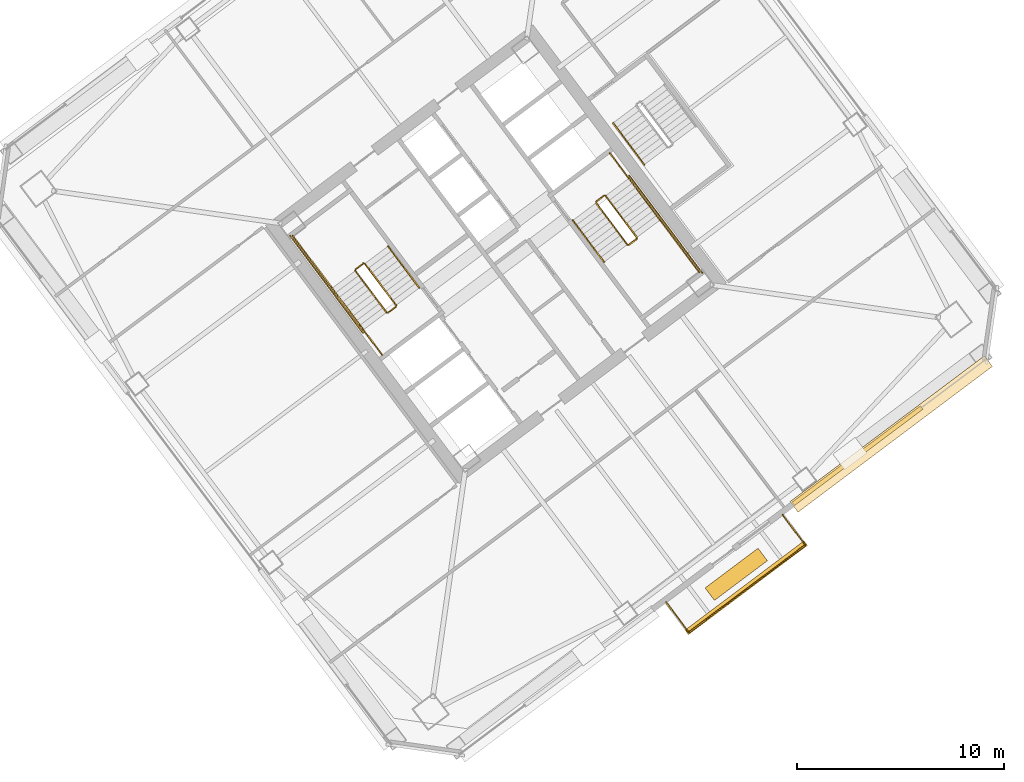
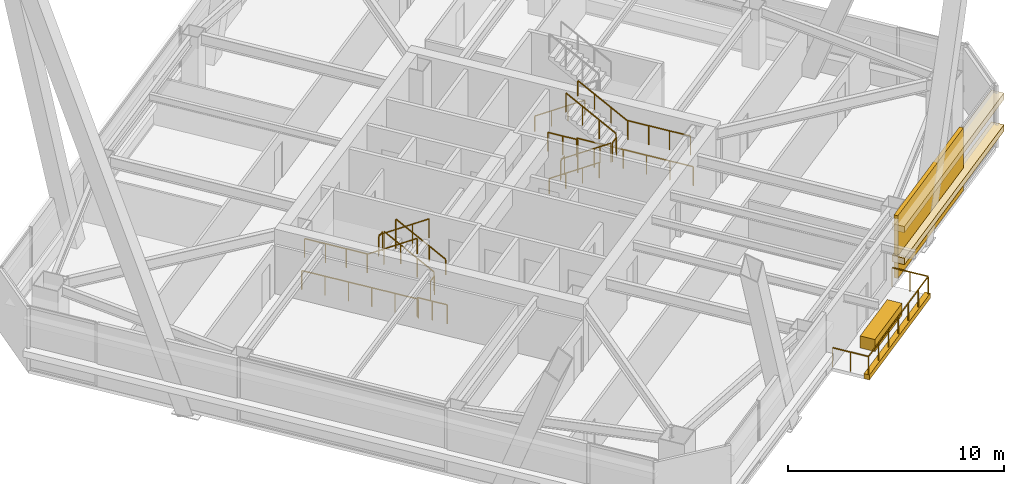
# One storey, part 52 of 54: 22 railings, 5 coverings.
"""IFC4 building model written with IfcOpenShell, lengths in metres."""

from ifc_helpers import new_model, si_unit, direction, frame, origin, origin_2d, place, context, subcontext, project, spatial, rectangle, extrude, material, layer, layer_set, type_object, element, save


model = new_model("IFC4")

# Units and contexts
model_context = context("Model", 3, precision=1e-05, world=origin(), true_north=direction((0.0, 1.0)))
body_context = subcontext(model_context, "Body", "Model", "MODEL_VIEW")
ifc_project = project(units=[si_unit("LENGTHUNIT", "METRE"), si_unit("AREAUNIT", "SQUARE_METRE"), si_unit("VOLUMEUNIT", "CUBIC_METRE"), si_unit("PLANEANGLEUNIT", "RADIAN"), si_unit("MASSUNIT", "GRAM", prefix="KILO")], contexts=[model_context])

# Site, building, storey
site_placement = place(None, origin())
site = spatial("IfcSite", under=ifc_project, at=site_placement, CompositionType="ELEMENT")
building_placement = place(site_placement, origin())
building = spatial("IfcBuilding", under=site, at=building_placement, Name="Tashvorn Skyway Center", CompositionType="ELEMENT")
storey_placement = place(building_placement, frame((0.0, 0.0, 135.699951171875)))
storey = spatial("IfcBuildingStorey", under=building, at=storey_placement, Name="L36", CompositionType="ELEMENT", Elevation=135.699951171875)

# Coverings
ifc_material_1 = material(Name="Precast concrete C40/50", Category="concrete")
ifc_layer_1 = layer(ifc_material_1, 0.199951171875)
ifc_layer_set_1 = layer_set([ifc_layer_1], Name="Precast concrete C40/50")
covering_type_1 = type_object("IfcCoveringType", Name="COV-BRACE-CLAD", PredefinedType="CLADDING", material=ifc_layer_set_1)
covering_1_placement = place(storey_placement, frame((131.46923828125, 22.251953125, 0.0), z_axis=(0.0, 0.0, 1.0), x_axis=(-0.799999996291, -0.600000004945, 0.0)))
element("IfcCovering", 1, at=covering_1_placement, inside=storey, type_object=covering_type_1, Name="Tower 2 L36 South Curtain Wall L Mega-Brace Cladding Band 1", PredefinedType="CLADDING", context=body_context, shape_type="SweptSolid", body=[
    extrude(rectangle(XDim=7.75341796875, YDim=0.199951171875, at=origin_2d()), origin(), (0.0, 0.0, 1.0), 3.550048828125),
])
ifc_material_2 = material(Name="Perforated ceramic-coated bronze aluminium solar screen", Category="aluminium")
ifc_layer_2 = layer(ifc_material_2, 0.85009765625)
ifc_layer_set_2 = layer_set([ifc_layer_2], Name="Perforated ceramic-coated bronze aluminium solar screen")
covering_type_2 = type_object("IfcCoveringType", Name="COV-SOLAR-BAND", PredefinedType="CLADDING", material=ifc_layer_set_2)
for number, where, z_axis, x_axis, name in (
    (2, (133.10400390625, 23.302978515625, 0.919921875), (0.0, 0.0, 1.0), (-0.799999996291, -0.600000004945, 0.0), "L36 Perforated Ceramic-Metal Solar Screen Louvre Band South 1"),
    (3, (133.10400390625, 23.302978515625, 2.72021484375), (0.0, 0.0, 1.0), (-0.799999996291, -0.600000004945, 0.0), "L36 Perforated Ceramic-Metal Solar Screen Louvre Band South 2"),
):
    element("IfcCovering", number, at=place(storey_placement, frame(where, z_axis=z_axis, x_axis=x_axis)), inside=storey, type_object=covering_type_2, Name=name, PredefinedType="CLADDING", context=body_context, shape_type="SweptSolid", body=[
        extrude(rectangle(XDim=11.75, YDim=0.639892578125, at=origin_2d()), origin(), (0.0, 0.0, 1.0), 0.360107421875),
    ])
ifc_layer_3 = layer(ifc_material_1, 0.35009765625)
ifc_layer_set_3 = layer_set([ifc_layer_3], Name="Precast concrete C40/50")
covering_type_3 = type_object("IfcCoveringType", Name="COV-STONE-TRIM", PredefinedType="CLADDING", material=ifc_layer_set_3)
covering_2_placement = place(storey_placement, frame((126.095947265625, 15.8720703125, -0.16015625), z_axis=(0.0, 0.0, 1.0), x_axis=(-0.799999996291, -0.600000004945, 0.0)))
element("IfcCovering", 4, at=covering_2_placement, inside=storey, type_object=covering_type_3, Name="Tower 2 L36 Spiral Terrace Terracotta Fascia", PredefinedType="CLADDING", context=body_context, shape_type="SweptSolid", body=[
    extrude(rectangle(XDim=7.199951171875, YDim=0.280029296875, at=origin_2d()), origin(), (0.0, 0.0, 1.0), 0.280029296875),
])
covering_3_placement = place(storey_placement, frame((125.610107421875, 16.52001953125, 0.0), z_axis=(0.0, 0.0, 1.0), x_axis=(-0.799999996291, -0.600000004945, 0.0)))
element("IfcCovering", 5, at=covering_3_placement, inside=storey, type_object=covering_type_3, Name="Tower 2 L36 Spiral Terrace Planter", PredefinedType="CLADDING", context=body_context, shape_type="SweptSolid", body=[
    extrude(rectangle(XDim=3.199951171875, YDim=0.75, at=origin_2d()), origin(), (0.0, 0.0, 1.0), 0.679931640625),
])

# Railings
ifc_material_3 = material(Name="Galvanized steel S355", Category="steel")
railing_type_1 = type_object("IfcRailingType", Name="RAIL-GUARD-1120", PredefinedType="GUARDRAIL", material=ifc_material_3)
railing_1_placement = place(storey_placement, frame((122.22412109375, 15.16796875, 0.0)))
element("IfcRailing", 6, at=railing_1_placement, inside=storey, type_object=railing_type_1, Name="L36 Tower 2 Terrace Guardrail 01", PredefinedType="GUARDRAIL", context=body_context, shape_type="SweptSolid", body=[
    extrude(rectangle(XDim=0.048095703125, YDim=0.048095703125, at=origin_2d()), frame((0.0, 0.0, 1.09619140625), z_axis=(0.599914141212, -0.800064386893, 0.0), x_axis=(0.800064386893, 0.599914141212, 0.0)), (0.0, 0.0, 1.0), 1.81982421875),
    extrude(rectangle(XDim=0.0419921875, YDim=0.0419921875, at=origin_2d()), origin(), (0.0, 0.0, 1.0), 1.072021484375),
    extrude(rectangle(XDim=0.0419921875, YDim=0.0419921875, at=origin_2d()), frame((0.5458984375, -0.72802734375, 0.0)), (0.0, 0.0, 1.0), 1.072021484375),
    extrude(rectangle(XDim=0.0419921875, YDim=0.0419921875, at=origin_2d()), frame((1.091796875, -1.4560546875, 0.0)), (0.0, 0.0, 1.0), 1.072021484375),
])
railing_2_placement = place(storey_placement, frame((123.31591796875, 13.7119140625, 0.0)))
element("IfcRailing", 7, at=railing_2_placement, inside=storey, type_object=railing_type_1, Name="L36 Tower 2 Terrace Guardrail 02", PredefinedType="GUARDRAIL", context=body_context, shape_type="SweptSolid", body=[
    extrude(rectangle(XDim=0.048095703125, YDim=0.048095703125, at=origin_2d()), frame((0.0, 0.0, 1.09619140625), z_axis=(0.799995838574, 0.600005548528, 0.0), x_axis=(-0.600005548528, 0.799995838574, 0.0)), (0.0, 0.0, 1.0), 7.0400390625),
    extrude(rectangle(XDim=0.0419921875, YDim=0.0419921875, at=origin_2d()), origin(), (0.0, 0.0, 1.0), 1.072021484375),
    extrude(rectangle(XDim=0.0419921875, YDim=0.0419921875, at=origin_2d()), frame((0.938720703125, 0.7041015625, 0.0)), (0.0, 0.0, 1.0), 1.072021484375),
    extrude(rectangle(XDim=0.0419921875, YDim=0.0419921875, at=origin_2d()), frame((1.87744140625, 1.407958984375, 0.0)), (0.0, 0.0, 1.0), 1.072021484375),
    extrude(rectangle(XDim=0.0419921875, YDim=0.0419921875, at=origin_2d()), frame((2.81591796875, 2.112060546875, 0.0)), (0.0, 0.0, 1.0), 1.072021484375),
    extrude(rectangle(XDim=0.0419921875, YDim=0.0419921875, at=origin_2d()), frame((3.754638671875, 2.816162109375, 0.0)), (0.0, 0.0, 1.0), 1.072021484375),
    extrude(rectangle(XDim=0.0419921875, YDim=0.0419921875, at=origin_2d()), frame((4.693359375, 3.52001953125, 0.0)), (0.0, 0.0, 1.0), 1.072021484375),
    extrude(rectangle(XDim=0.0419921875, YDim=0.0419921875, at=origin_2d()), frame((5.632080078125, 4.22412109375, 0.0)), (0.0, 0.0, 1.0), 1.072021484375),
])
railing_3_placement = place(storey_placement, frame((128.947998046875, 17.93603515625, 0.0)))
element("IfcRailing", 8, at=railing_3_placement, inside=storey, type_object=railing_type_1, Name="L36 Tower 2 Terrace Guardrail 03", PredefinedType="GUARDRAIL", context=body_context, shape_type="SweptSolid", body=[
    extrude(rectangle(XDim=0.048095703125, YDim=0.048095703125, at=origin_2d()), frame((0.0, 0.0, 1.09619140625), z_axis=(-0.6, 0.8, 0.0), x_axis=(-0.8, -0.6, 0.0)), (0.0, 0.0, 1.0), 1.820068359375),
    extrude(rectangle(XDim=0.0419921875, YDim=0.0419921875, at=origin_2d()), origin(), (0.0, 0.0, 1.0), 1.072021484375),
    extrude(rectangle(XDim=0.0419921875, YDim=0.0419921875, at=origin_2d()), frame((-0.5458984375, 0.72802734375, 0.0)), (0.0, 0.0, 1.0), 1.072021484375),
    extrude(rectangle(XDim=0.0419921875, YDim=0.0419921875, at=origin_2d()), frame((-1.092041015625, 1.4560546875, 0.0)), (0.0, 0.0, 1.0), 1.072021484375),
])
ifc_material_4 = material(Name="Brushed stainless steel 316", Category="steel")
railing_type_2 = type_object("IfcRailingType", Name="RAIL-HAND-920", PredefinedType="HANDRAIL", material=ifc_material_4)
railing_4_placement = place(storey_placement, frame((110.2880859375, 30.365966796875, 0.177490234375)))
element("IfcRailing", 9, at=railing_4_placement, inside=storey, type_object=railing_type_2, Name="L36 ST-T2-1 stair handrail 1", PredefinedType="HANDRAIL", context=body_context, shape_type="SweptSolid", body=[
    extrude(rectangle(XDim=0.048095703125, YDim=0.048095703125, at=origin_2d()), frame((0.0, 0.0, 0.8759765625), z_axis=(-0.506779409603, 0.675651334276, 0.53541563714), x_axis=(-0.799976749893, -0.600030998891, 0.0)), (0.0, 0.0, 1.0), 2.98388671875),
    extrude(rectangle(XDim=0.0419921875, YDim=0.0419921875, at=origin_2d()), origin(), (0.0, 0.0, 1.0), 0.851806640625),
    extrude(rectangle(XDim=0.0419921875, YDim=0.0419921875, at=origin_2d()), frame((-0.504150390625, 0.672119140625, 0.532470703125)), (0.0, 0.0, 1.0), 0.851806640625),
    extrude(rectangle(XDim=0.0419921875, YDim=0.0419921875, at=origin_2d()), frame((-1.008056640625, 1.343994140625, 1.065185546875)), (0.0, 0.0, 1.0), 0.851806640625),
    extrude(rectangle(XDim=0.0419921875, YDim=0.0419921875, at=origin_2d()), frame((-1.51220703125, 2.01611328125, 1.59765625)), (0.0, 0.0, 1.0), 0.851806640625),
])
railing_5_placement = place(storey_placement, frame((106.072021484375, 30.35400390625, 1.95263671875)))
element("IfcRailing", 10, at=railing_5_placement, inside=storey, type_object=railing_type_2, Name="L36 ST-T2-1 stair handrail 2", PredefinedType="HANDRAIL", context=body_context, shape_type="SweptSolid", body=[
    extrude(rectangle(XDim=0.048095703125, YDim=0.048095703125, at=origin_2d()), frame((0.0, 0.0, 0.8759765625), z_axis=(0.506740800098, -0.675708949977, 0.535379469569), x_axis=(0.800023250257, 0.599968998406, 0.0)), (0.0, 0.0, 1.0), 2.983642578125),
    extrude(rectangle(XDim=0.0419921875, YDim=0.0419921875, at=origin_2d()), origin(), (0.0, 0.0, 1.0), 0.851806640625),
    extrude(rectangle(XDim=0.0419921875, YDim=0.0419921875, at=origin_2d()), frame((0.50390625, -0.672119140625, 0.532470703125)), (0.0, 0.0, 1.0), 0.851806640625),
    extrude(rectangle(XDim=0.0419921875, YDim=0.0419921875, at=origin_2d()), frame((1.008056640625, -1.343994140625, 1.06494140625)), (0.0, 0.0, 1.0), 0.851806640625),
    extrude(rectangle(XDim=0.0419921875, YDim=0.0419921875, at=origin_2d()), frame((1.511962890625, -2.01611328125, 1.597412109375)), (0.0, 0.0, 1.0), 0.851806640625),
])
railing_6_placement = place(storey_placement, frame((117.7119140625, 33.634033203125, 0.177490234375)))
element("IfcRailing", 11, at=railing_6_placement, inside=storey, type_object=railing_type_2, Name="L36 ST-T2-2 stair handrail 1", PredefinedType="HANDRAIL", context=body_context, shape_type="SweptSolid", body=[
    extrude(rectangle(XDim=0.048095703125, YDim=0.048095703125, at=origin_2d()), frame((0.0, 0.0, 0.8759765625), z_axis=(0.506779409603, -0.675651334276, 0.53541563714), x_axis=(0.799976749893, 0.600030998891, 0.0)), (0.0, 0.0, 1.0), 2.98388671875),
    extrude(rectangle(XDim=0.0419921875, YDim=0.0419921875, at=origin_2d()), origin(), (0.0, 0.0, 1.0), 0.851806640625),
    extrude(rectangle(XDim=0.0419921875, YDim=0.0419921875, at=origin_2d()), frame((0.504150390625, -0.672119140625, 0.532470703125)), (0.0, 0.0, 1.0), 0.851806640625),
    extrude(rectangle(XDim=0.0419921875, YDim=0.0419921875, at=origin_2d()), frame((1.008056640625, -1.343994140625, 1.065185546875)), (0.0, 0.0, 1.0), 0.851806640625),
    extrude(rectangle(XDim=0.0419921875, YDim=0.0419921875, at=origin_2d()), frame((1.51220703125, -2.01611328125, 1.59765625)), (0.0, 0.0, 1.0), 0.851806640625),
])
railing_7_placement = place(storey_placement, frame((121.927978515625, 33.64599609375, 1.95263671875)))
element("IfcRailing", 12, at=railing_7_placement, inside=storey, type_object=railing_type_2, Name="L36 ST-T2-2 stair handrail 2", PredefinedType="HANDRAIL", context=body_context, shape_type="SweptSolid", body=[
    extrude(rectangle(XDim=0.048095703125, YDim=0.048095703125, at=origin_2d()), frame((0.0, 0.0, 0.8759765625), z_axis=(-0.506740800098, 0.675708949977, 0.535379469569), x_axis=(-0.800023250257, -0.599968998406, 0.0)), (0.0, 0.0, 1.0), 2.983642578125),
    extrude(rectangle(XDim=0.0419921875, YDim=0.0419921875, at=origin_2d()), origin(), (0.0, 0.0, 1.0), 0.851806640625),
    extrude(rectangle(XDim=0.0419921875, YDim=0.0419921875, at=origin_2d()), frame((-0.50390625, 0.672119140625, 0.532470703125)), (0.0, 0.0, 1.0), 0.851806640625),
    extrude(rectangle(XDim=0.0419921875, YDim=0.0419921875, at=origin_2d()), frame((-1.008056640625, 1.343994140625, 1.06494140625)), (0.0, 0.0, 1.0), 0.851806640625),
    extrude(rectangle(XDim=0.0419921875, YDim=0.0419921875, at=origin_2d()), frame((-1.511962890625, 2.01611328125, 1.597412109375)), (0.0, 0.0, 1.0), 0.851806640625),
])
railing_8_placement = place(storey_placement, frame((119.656005859375, 38.342041015625, 0.177490234375)))
element("IfcRailing", 13, at=railing_8_placement, inside=storey, type_object=railing_type_2, Name="L36 ST-T2-3 stair handrail 1", PredefinedType="HANDRAIL", context=body_context, shape_type="SweptSolid", body=[
    extrude(rectangle(XDim=0.048095703125, YDim=0.048095703125, at=origin_2d()), frame((0.0, 0.0, 0.8759765625), z_axis=(0.506718600913, -0.675679348675, 0.535437836974), x_axis=(0.800023250257, 0.599968998406, 0.0)), (0.0, 0.0, 1.0), 2.98388671875),
    extrude(rectangle(XDim=0.0419921875, YDim=0.0419921875, at=origin_2d()), origin(), (0.0, 0.0, 1.0), 0.851806640625),
    extrude(rectangle(XDim=0.0419921875, YDim=0.0419921875, at=origin_2d()), frame((0.50390625, -0.672119140625, 0.532470703125)), (0.0, 0.0, 1.0), 0.851806640625),
    extrude(rectangle(XDim=0.0419921875, YDim=0.0419921875, at=origin_2d()), frame((1.008056640625, -1.343994140625, 1.065185546875)), (0.0, 0.0, 1.0), 0.851806640625),
    extrude(rectangle(XDim=0.0419921875, YDim=0.0419921875, at=origin_2d()), frame((1.511962890625, -2.01611328125, 1.59765625)), (0.0, 0.0, 1.0), 0.851806640625),
])
ifc_material_5 = material(Name="Painted galvanized steel S355", Category="steel")
railing_type_3 = type_object("IfcRailingType", Name="RAIL-STGUARD-1100", PredefinedType="GUARDRAIL", material=ifc_material_5)
railing_9_placement = place(storey_placement, frame((109.16796875, 29.52587890625, 0.177490234375)))
element("IfcRailing", 14, at=railing_9_placement, inside=storey, type_object=railing_type_3, Name="L36 ST-T2-1 stair guard 1", PredefinedType="GUARDRAIL", context=body_context, shape_type="SweptSolid", body=[
    extrude(rectangle(XDim=0.048095703125, YDim=0.048095703125, at=origin_2d()), frame((0.0, 0.0, 1.076171875), z_axis=(-0.506718600913, 0.675679348675, 0.535437836974), x_axis=(-0.800023250257, -0.599968998406, 0.0)), (0.0, 0.0, 1.0), 2.98388671875),
    extrude(rectangle(XDim=0.0419921875, YDim=0.0419921875, at=origin_2d()), origin(), (0.0, 0.0, 1.0), 1.052001953125),
    extrude(rectangle(XDim=0.0419921875, YDim=0.0419921875, at=origin_2d()), frame((-0.50390625, 0.672119140625, 0.532470703125)), (0.0, 0.0, 1.0), 1.052001953125),
    extrude(rectangle(XDim=0.0419921875, YDim=0.0419921875, at=origin_2d()), frame((-1.008056640625, 1.343994140625, 1.065185546875)), (0.0, 0.0, 1.0), 1.052001953125),
    extrude(rectangle(XDim=0.0419921875, YDim=0.0419921875, at=origin_2d()), frame((-1.511962890625, 2.01611328125, 1.59765625)), (0.0, 0.0, 1.0), 1.052001953125),
])
railing_10_placement = place(storey_placement, frame((107.5859375, 31.552001953125, 1.775146484375)))
element("IfcRailing", 15, at=railing_10_placement, inside=storey, type_object=railing_type_3, Name="L36 ST-T2-1 stair guard 2", PredefinedType="GUARDRAIL", context=body_context, shape_type="SweptSolid", body=[
    extrude(rectangle(XDim=0.048095703125, YDim=0.048095703125, at=origin_2d()), frame((0.0, 0.0, 1.076171875), z_axis=(-0.799938970639, -0.600081363861, 0.0), x_axis=(0.600081363861, -0.799938970639, 0.0)), (0.0, 0.0, 1.0), 0.47998046875),
    extrude(rectangle(XDim=0.0419921875, YDim=0.0419921875, at=origin_2d()), origin(), (0.0, 0.0, 1.0), 1.052001953125),
    extrude(rectangle(XDim=0.0419921875, YDim=0.0419921875, at=origin_2d()), frame((-0.384033203125, -0.2880859375, 0.0)), (0.0, 0.0, 1.0), 1.052001953125),
])
railing_11_placement = place(storey_placement, frame((106.072021484375, 30.35400390625, 1.775146484375)))
element("IfcRailing", 16, at=railing_11_placement, inside=storey, type_object=railing_type_3, Name="L36 ST-T2-1 stair guard 3", PredefinedType="GUARDRAIL", context=body_context, shape_type="SweptSolid", body=[
    extrude(rectangle(XDim=0.048095703125, YDim=0.048095703125, at=origin_2d()), frame((0.0, 0.0, 1.076171875), z_axis=(-0.599987638607, 0.800009270896, 0.0), x_axis=(-0.800009270896, -0.599987638607, 0.0)), (0.0, 0.0, 1.0), 3.16015625),
    extrude(rectangle(XDim=0.0419921875, YDim=0.0419921875, at=origin_2d()), origin(), (0.0, 0.0, 1.0), 1.052001953125),
    extrude(rectangle(XDim=0.0419921875, YDim=0.0419921875, at=origin_2d()), frame((-0.632080078125, 0.8427734375, 0.0)), (0.0, 0.0, 1.0), 1.052001953125),
    extrude(rectangle(XDim=0.0419921875, YDim=0.0419921875, at=origin_2d()), frame((-1.263916015625, 1.685302734375, 0.0)), (0.0, 0.0, 1.0), 1.052001953125),
    extrude(rectangle(XDim=0.0419921875, YDim=0.0419921875, at=origin_2d()), frame((-1.89599609375, 2.528076171875, 0.0)), (0.0, 0.0, 1.0), 1.052001953125),
])
railing_12_placement = place(storey_placement, frame((107.19189453125, 31.194091796875, 1.95263671875)))
element("IfcRailing", 17, at=railing_12_placement, inside=storey, type_object=railing_type_3, Name="L36 ST-T2-1 stair guard 4", PredefinedType="GUARDRAIL", context=body_context, shape_type="SweptSolid", body=[
    extrude(rectangle(XDim=0.048095703125, YDim=0.048095703125, at=origin_2d()), frame((0.0, 0.0, 1.076171875), z_axis=(0.506801609611, -0.675680931896, 0.535357270211), x_axis=(0.799976749893, 0.600030998891, 0.0)), (0.0, 0.0, 1.0), 2.98388671875),
    extrude(rectangle(XDim=0.0419921875, YDim=0.0419921875, at=origin_2d()), origin(), (0.0, 0.0, 1.0), 1.052001953125),
    extrude(rectangle(XDim=0.0419921875, YDim=0.0419921875, at=origin_2d()), frame((0.504150390625, -0.672119140625, 0.532470703125)), (0.0, 0.0, 1.0), 1.052001953125),
    extrude(rectangle(XDim=0.0419921875, YDim=0.0419921875, at=origin_2d()), frame((1.008056640625, -1.343994140625, 1.06494140625)), (0.0, 0.0, 1.0), 1.052001953125),
    extrude(rectangle(XDim=0.0419921875, YDim=0.0419921875, at=origin_2d()), frame((1.51220703125, -2.01611328125, 1.597412109375)), (0.0, 0.0, 1.0), 1.052001953125),
])
railing_13_placement = place(storey_placement, frame((109.157958984375, 29.4560546875, 0.0)))
element("IfcRailing", 18, at=railing_13_placement, inside=storey, type_object=railing_type_3, Name="L36 ST-T2-1 stair guard 5", PredefinedType="GUARDRAIL", context=body_context, shape_type="SweptSolid", body=[
    extrude(rectangle(XDim=0.048095703125, YDim=0.048095703125, at=origin_2d()), frame((0.0, 0.0, 1.076171875), z_axis=(-0.799938970639, -0.600081363861, 0.0), x_axis=(0.600081363861, -0.799938970639, 0.0)), (0.0, 0.0, 1.0), 0.47998046875),
    extrude(rectangle(XDim=0.0419921875, YDim=0.0419921875, at=origin_2d()), origin(), (0.0, 0.0, 1.0), 1.052001953125),
    extrude(rectangle(XDim=0.0419921875, YDim=0.0419921875, at=origin_2d()), frame((-0.384033203125, -0.2880859375, 0.0)), (0.0, 0.0, 1.0), 1.052001953125),
])
railing_14_placement = place(storey_placement, frame((108.49609375, 27.1220703125, 0.0)))
element("IfcRailing", 19, at=railing_14_placement, inside=storey, type_object=railing_type_3, Name="L36 ST-T2-1 stair guard 6", PredefinedType="GUARDRAIL", context=body_context, shape_type="SweptSolid", body=[
    extrude(rectangle(XDim=0.048095703125, YDim=0.048095703125, at=origin_2d()), frame((0.0, 0.0, 1.076171875), z_axis=(-0.600102796382, 0.799922892393, 0.0), x_axis=(-0.799922892393, -0.600102796382, 0.0)), (0.0, 0.0, 1.0), 1.52001953125),
    extrude(rectangle(XDim=0.0419921875, YDim=0.0419921875, at=origin_2d()), origin(), (0.0, 0.0, 1.0), 1.052001953125),
    extrude(rectangle(XDim=0.0419921875, YDim=0.0419921875, at=origin_2d()), frame((-0.4560546875, 0.60791015625, 0.0)), (0.0, 0.0, 1.0), 1.052001953125),
    extrude(rectangle(XDim=0.0419921875, YDim=0.0419921875, at=origin_2d()), frame((-0.912109375, 1.2158203125, 0.0)), (0.0, 0.0, 1.0), 1.052001953125),
])
railing_15_placement = place(storey_placement, frame((107.56396484375, 28.197998046875, 0.0)))
element("IfcRailing", 20, at=railing_15_placement, inside=storey, type_object=railing_type_3, Name="L36 ST-T2-1 stair guard 7", PredefinedType="GUARDRAIL", context=body_context, shape_type="SweptSolid", body=[
    extrude(rectangle(XDim=0.048095703125, YDim=0.048095703125, at=origin_2d()), frame((0.0, 0.0, 1.076171875), z_axis=(-0.6, 0.8, 0.0), x_axis=(-0.8, -0.6, 0.0)), (0.0, 0.0, 1.0), 5.880126953125),
    extrude(rectangle(XDim=0.0419921875, YDim=0.0419921875, at=origin_2d()), origin(), (0.0, 0.0, 1.0), 1.052001953125),
    extrude(rectangle(XDim=0.0419921875, YDim=0.0419921875, at=origin_2d()), frame((-0.70556640625, 0.94091796875, 0.0)), (0.0, 0.0, 1.0), 1.052001953125),
    extrude(rectangle(XDim=0.0419921875, YDim=0.0419921875, at=origin_2d()), frame((-1.4111328125, 1.881591796875, 0.0)), (0.0, 0.0, 1.0), 1.052001953125),
    extrude(rectangle(XDim=0.0419921875, YDim=0.0419921875, at=origin_2d()), frame((-2.116943359375, 2.822509765625, 0.0)), (0.0, 0.0, 1.0), 1.052001953125),
    extrude(rectangle(XDim=0.0419921875, YDim=0.0419921875, at=origin_2d()), frame((-2.822509765625, 3.76318359375, 0.0)), (0.0, 0.0, 1.0), 1.052001953125),
    extrude(rectangle(XDim=0.0419921875, YDim=0.0419921875, at=origin_2d()), frame((-3.528076171875, 4.7041015625, 0.0)), (0.0, 0.0, 1.0), 1.052001953125),
])
railing_16_placement = place(storey_placement, frame((118.83203125, 34.47412109375, 0.177490234375)))
element("IfcRailing", 21, at=railing_16_placement, inside=storey, type_object=railing_type_3, Name="L36 ST-T2-2 stair guard 1", PredefinedType="GUARDRAIL", context=body_context, shape_type="SweptSolid", body=[
    extrude(rectangle(XDim=0.048095703125, YDim=0.048095703125, at=origin_2d()), frame((0.0, 0.0, 1.076171875), z_axis=(0.506718600913, -0.675679348675, 0.535437836974), x_axis=(0.800023250257, 0.599968998406, 0.0)), (0.0, 0.0, 1.0), 2.98388671875),
    extrude(rectangle(XDim=0.0419921875, YDim=0.0419921875, at=origin_2d()), origin(), (0.0, 0.0, 1.0), 1.052001953125),
    extrude(rectangle(XDim=0.0419921875, YDim=0.0419921875, at=origin_2d()), frame((0.50390625, -0.672119140625, 0.532470703125)), (0.0, 0.0, 1.0), 1.052001953125),
    extrude(rectangle(XDim=0.0419921875, YDim=0.0419921875, at=origin_2d()), frame((1.008056640625, -1.343994140625, 1.065185546875)), (0.0, 0.0, 1.0), 1.052001953125),
    extrude(rectangle(XDim=0.0419921875, YDim=0.0419921875, at=origin_2d()), frame((1.511962890625, -2.01611328125, 1.59765625)), (0.0, 0.0, 1.0), 1.052001953125),
])
railing_17_placement = place(storey_placement, frame((120.4140625, 32.447998046875, 1.775146484375)))
element("IfcRailing", 22, at=railing_17_placement, inside=storey, type_object=railing_type_3, Name="L36 ST-T2-2 stair guard 2", PredefinedType="GUARDRAIL", context=body_context, shape_type="SweptSolid", body=[
    extrude(rectangle(XDim=0.048095703125, YDim=0.048095703125, at=origin_2d()), frame((0.0, 0.0, 1.076171875), z_axis=(0.799938970639, 0.600081363861, 0.0), x_axis=(-0.600081363861, 0.799938970639, 0.0)), (0.0, 0.0, 1.0), 0.47998046875),
    extrude(rectangle(XDim=0.0419921875, YDim=0.0419921875, at=origin_2d()), origin(), (0.0, 0.0, 1.0), 1.052001953125),
    extrude(rectangle(XDim=0.0419921875, YDim=0.0419921875, at=origin_2d()), frame((0.384033203125, 0.2880859375, 0.0)), (0.0, 0.0, 1.0), 1.052001953125),
])
railing_18_placement = place(storey_placement, frame((121.927978515625, 33.64599609375, 1.775146484375)))
element("IfcRailing", 23, at=railing_18_placement, inside=storey, type_object=railing_type_3, Name="L36 ST-T2-2 stair guard 3", PredefinedType="GUARDRAIL", context=body_context, shape_type="SweptSolid", body=[
    extrude(rectangle(XDim=0.048095703125, YDim=0.048095703125, at=origin_2d()), frame((0.0, 0.0, 1.076171875), z_axis=(0.599987638607, -0.800009270896, 0.0), x_axis=(0.800009270896, 0.599987638607, 0.0)), (0.0, 0.0, 1.0), 3.16015625),
    extrude(rectangle(XDim=0.0419921875, YDim=0.0419921875, at=origin_2d()), origin(), (0.0, 0.0, 1.0), 1.052001953125),
    extrude(rectangle(XDim=0.0419921875, YDim=0.0419921875, at=origin_2d()), frame((0.632080078125, -0.8427734375, 0.0)), (0.0, 0.0, 1.0), 1.052001953125),
    extrude(rectangle(XDim=0.0419921875, YDim=0.0419921875, at=origin_2d()), frame((1.263916015625, -1.685302734375, 0.0)), (0.0, 0.0, 1.0), 1.052001953125),
    extrude(rectangle(XDim=0.0419921875, YDim=0.0419921875, at=origin_2d()), frame((1.89599609375, -2.528076171875, 0.0)), (0.0, 0.0, 1.0), 1.052001953125),
])
railing_19_placement = place(storey_placement, frame((120.80810546875, 32.805908203125, 1.95263671875)))
element("IfcRailing", 24, at=railing_19_placement, inside=storey, type_object=railing_type_3, Name="L36 ST-T2-2 stair guard 4", PredefinedType="GUARDRAIL", context=body_context, shape_type="SweptSolid", body=[
    extrude(rectangle(XDim=0.048095703125, YDim=0.048095703125, at=origin_2d()), frame((0.0, 0.0, 1.076171875), z_axis=(-0.506801609611, 0.675680931896, 0.535357270211), x_axis=(-0.799976749893, -0.600030998891, 0.0)), (0.0, 0.0, 1.0), 2.98388671875),
    extrude(rectangle(XDim=0.0419921875, YDim=0.0419921875, at=origin_2d()), origin(), (0.0, 0.0, 1.0), 1.052001953125),
    extrude(rectangle(XDim=0.0419921875, YDim=0.0419921875, at=origin_2d()), frame((-0.504150390625, 0.672119140625, 0.532470703125)), (0.0, 0.0, 1.0), 1.052001953125),
    extrude(rectangle(XDim=0.0419921875, YDim=0.0419921875, at=origin_2d()), frame((-1.008056640625, 1.343994140625, 1.06494140625)), (0.0, 0.0, 1.0), 1.052001953125),
    extrude(rectangle(XDim=0.0419921875, YDim=0.0419921875, at=origin_2d()), frame((-1.51220703125, 2.01611328125, 1.597412109375)), (0.0, 0.0, 1.0), 1.052001953125),
])
railing_20_placement = place(storey_placement, frame((118.842041015625, 34.5439453125, 0.0)))
element("IfcRailing", 25, at=railing_20_placement, inside=storey, type_object=railing_type_3, Name="L36 ST-T2-2 stair guard 5", PredefinedType="GUARDRAIL", context=body_context, shape_type="SweptSolid", body=[
    extrude(rectangle(XDim=0.048095703125, YDim=0.048095703125, at=origin_2d()), frame((0.0, 0.0, 1.076171875), z_axis=(0.799938970639, 0.600081363861, 0.0), x_axis=(-0.600081363861, 0.799938970639, 0.0)), (0.0, 0.0, 1.0), 0.47998046875),
    extrude(rectangle(XDim=0.0419921875, YDim=0.0419921875, at=origin_2d()), origin(), (0.0, 0.0, 1.0), 1.052001953125),
    extrude(rectangle(XDim=0.0419921875, YDim=0.0419921875, at=origin_2d()), frame((0.384033203125, 0.2880859375, 0.0)), (0.0, 0.0, 1.0), 1.052001953125),
])
railing_21_placement = place(storey_placement, frame((119.50390625, 36.8779296875, 0.0)))
element("IfcRailing", 26, at=railing_21_placement, inside=storey, type_object=railing_type_3, Name="L36 ST-T2-2 stair guard 6", PredefinedType="GUARDRAIL", context=body_context, shape_type="SweptSolid", body=[
    extrude(rectangle(XDim=0.048095703125, YDim=0.048095703125, at=origin_2d()), frame((0.0, 0.0, 1.076171875), z_axis=(0.600102796382, -0.799922892393, 0.0), x_axis=(0.799922892393, 0.600102796382, 0.0)), (0.0, 0.0, 1.0), 1.52001953125),
    extrude(rectangle(XDim=0.0419921875, YDim=0.0419921875, at=origin_2d()), origin(), (0.0, 0.0, 1.0), 1.052001953125),
    extrude(rectangle(XDim=0.0419921875, YDim=0.0419921875, at=origin_2d()), frame((0.4560546875, -0.60791015625, 0.0)), (0.0, 0.0, 1.0), 1.052001953125),
    extrude(rectangle(XDim=0.0419921875, YDim=0.0419921875, at=origin_2d()), frame((0.912109375, -1.2158203125, 0.0)), (0.0, 0.0, 1.0), 1.052001953125),
])
railing_22_placement = place(storey_placement, frame((120.43603515625, 35.802001953125, 0.0)))
element("IfcRailing", 27, at=railing_22_placement, inside=storey, type_object=railing_type_3, Name="L36 ST-T2-2 stair guard 7", PredefinedType="GUARDRAIL", context=body_context, shape_type="SweptSolid", body=[
    extrude(rectangle(XDim=0.048095703125, YDim=0.048095703125, at=origin_2d()), frame((0.0, 0.0, 1.076171875), z_axis=(0.6, -0.8, 0.0), x_axis=(0.8, 0.6, 0.0)), (0.0, 0.0, 1.0), 5.880126953125),
    extrude(rectangle(XDim=0.0419921875, YDim=0.0419921875, at=origin_2d()), origin(), (0.0, 0.0, 1.0), 1.052001953125),
    extrude(rectangle(XDim=0.0419921875, YDim=0.0419921875, at=origin_2d()), frame((0.70556640625, -0.94091796875, 0.0)), (0.0, 0.0, 1.0), 1.052001953125),
    extrude(rectangle(XDim=0.0419921875, YDim=0.0419921875, at=origin_2d()), frame((1.4111328125, -1.881591796875, 0.0)), (0.0, 0.0, 1.0), 1.052001953125),
    extrude(rectangle(XDim=0.0419921875, YDim=0.0419921875, at=origin_2d()), frame((2.116943359375, -2.822509765625, 0.0)), (0.0, 0.0, 1.0), 1.052001953125),
    extrude(rectangle(XDim=0.0419921875, YDim=0.0419921875, at=origin_2d()), frame((2.822509765625, -3.76318359375, 0.0)), (0.0, 0.0, 1.0), 1.052001953125),
    extrude(rectangle(XDim=0.0419921875, YDim=0.0419921875, at=origin_2d()), frame((3.528076171875, -4.7041015625, 0.0)), (0.0, 0.0, 1.0), 1.052001953125),
])

save(model, "model.ifc")
